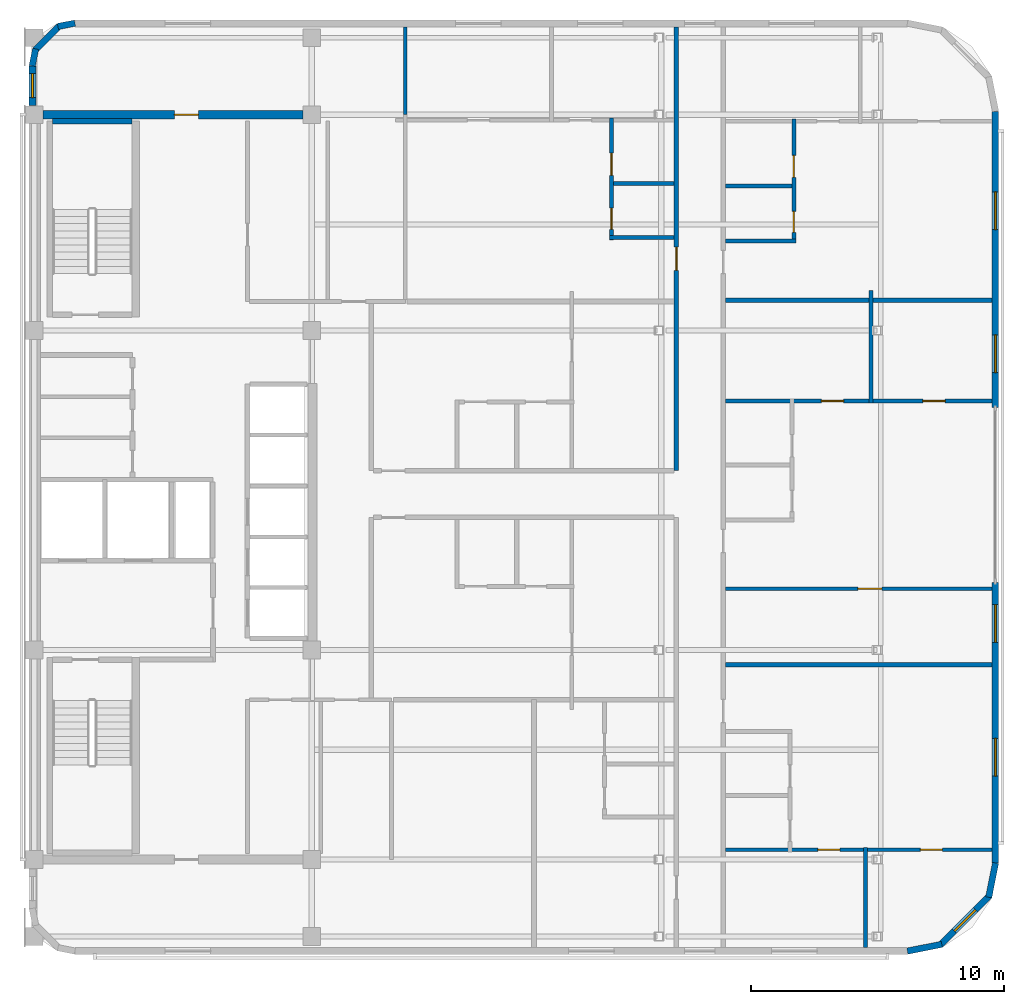
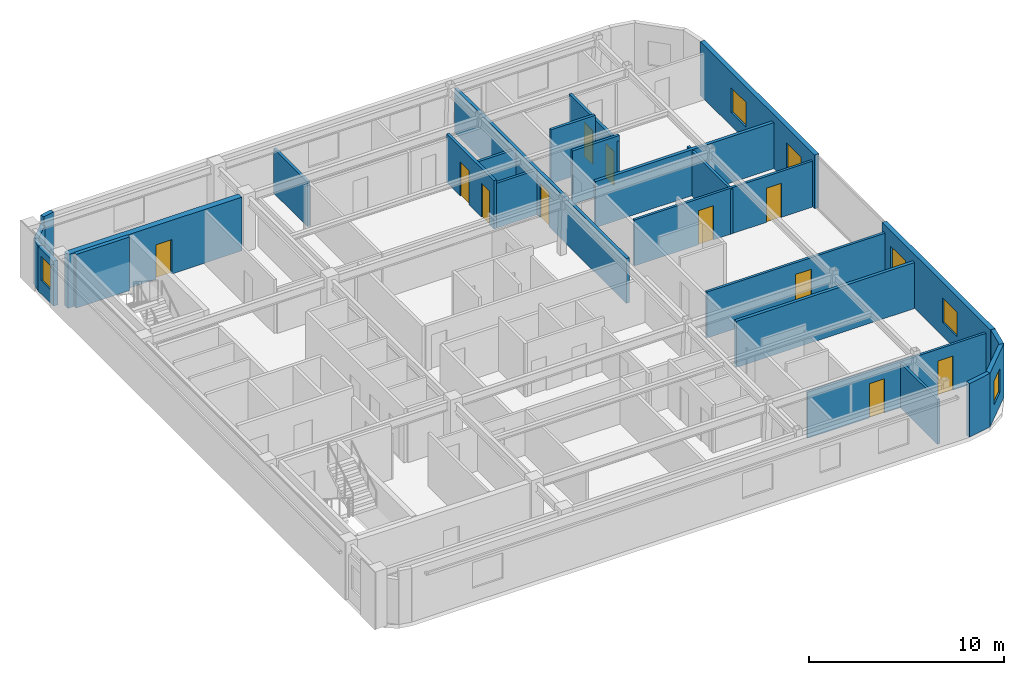
# One storey, part 6 of 10: 26 walls, 11 doors, 6 windows, 17 openings.
"""IFC4 building model written with IfcOpenShell, lengths in metres."""

from ifc_helpers import new_model, si_unit, direction, frame, frame_2d, origin, place, context, subcontext, project, spatial, rectangle, extrude, material, layer, layer_set, type_object, element, fill, save


model = new_model("IFC4")

# Units and contexts
model_context = context("Model", 3, precision=1e-05, world=origin(), true_north=direction((0.0, 1.0)))
body_context = subcontext(model_context, "Body", "Model", "MODEL_VIEW")
ifc_project = project(units=[si_unit("LENGTHUNIT", "METRE"), si_unit("AREAUNIT", "SQUARE_METRE"), si_unit("VOLUMEUNIT", "CUBIC_METRE"), si_unit("PLANEANGLEUNIT", "RADIAN"), si_unit("MASSUNIT", "GRAM", prefix="KILO")], contexts=[model_context])

# Site, building, storey
site_placement = place(None, origin())
site = spatial("IfcSite", under=ifc_project, at=site_placement, CompositionType="ELEMENT")
building_placement = place(site_placement, origin())
building = spatial("IfcBuilding", under=site, at=building_placement, Name="Ochreholt Gables", CompositionType="ELEMENT")
storey_placement = place(building_placement, frame((0.0, 0.0, 256.800048828125)))
storey = spatial("IfcBuildingStorey", under=building, at=storey_placement, Name="L67", CompositionType="ELEMENT", Elevation=256.800048828125)

# Wall, opening, door
ifc_material_1 = material(Name="Concrete 50 MPa", Category="concrete")
ifc_layer_1 = layer(ifc_material_1, 0.35009765625, Name="Concrete 50 MPa")
ifc_layer_set_1 = layer_set([ifc_layer_1], Name="Concrete 50 MPa")
wall_type_1 = type_object("IfcWallType", Name="WALL-CSW-350", PredefinedType="SHEAR", material=ifc_layer_set_1)
wall_1_placement = place(storey_placement, frame((24.550048828125, 38.75, 0.0), z_axis=(0.0, 0.0, 1.0), x_axis=(1.0, 0.0, 0.0)))
wall_1 = element("IfcWall", 1, at=wall_1_placement, inside=storey, type_object=wall_type_1, Name="L67 Core North Shear Wall", PredefinedType="SHEAR", context=body_context, shape_type="SweptSolid", body=[
    extrude(rectangle(XDim=10.300048828125, YDim=0.35009765625, at=frame_2d((5.14990234375, 0.0))), origin(), (0.0, 0.0, 1.0), 3.35986328125),
])
opening_1_placement = place(wall_1_placement, frame((5.199951171875, 0.0, 0.0)))
opening_1 = element("IfcOpeningElement", 2, at=opening_1_placement, cuts=wall_1, Name="Opening D-FL2", PredefinedType="OPENING", context=body_context, shape_type="SweptSolid", body=[
    extrude(rectangle(XDim=0.949951171875, YDim=2.14990234375, at=frame_2d((0.47509765625, 1.074951171875))), frame((0.0, 0.18505859375, 0.0), z_axis=(0.0, -1.0, 0.0), x_axis=(1.0, 0.0, 0.0)), (0.0, 0.0, 1.0), 0.3701171875),
])
ifc_material_2 = material(Name="Hollow Metal Steel", Category="steel")
door_type_1 = type_object("IfcDoorType", Name="DR-INT-FLB950", OperationType="NOTDEFINED", PredefinedType="DOOR", material=ifc_material_2)
door_1_placement = place(opening_1_placement, origin())
door_1 = element("IfcDoor", 3, at=door_1_placement, inside=storey, type_object=door_type_1, Name="L67 Door D-C3NSR-L67", OperationType="SINGLE_SWING_RIGHT", OverallHeight=2.14990234375, OverallWidth=0.949951171875, PredefinedType="DOOR", context=body_context, shape_type="SweptSolid", body=[
    extrude(rectangle(XDim=0.949951171875, YDim=2.14990234375, at=frame_2d((0.47509765625, 1.074951171875))), frame((0.0, 0.02490234375, 0.0), z_axis=(0.0, -1.0, 0.0), x_axis=(1.0, 0.0, 0.0)), (0.0, 0.0, 1.0), 0.050048828125),
])
fill(opening_1, door_1)

# Wall, openings, windows
ifc_material_3 = material(Name="Precast concrete 40 MPa", Category="concrete")
ifc_layer_2 = layer(ifc_material_3, 0.27001953125, Name="Precast concrete 40 MPa")
ifc_layer_set_2 = layer_set([ifc_layer_2], Name="Precast concrete 40 MPa")
wall_type_2 = type_object("IfcWallType", Name="WALL-EXT-270", PredefinedType="SOLIDWALL", material=ifc_layer_set_2)
wall_2_placement = place(storey_placement, frame((62.264892578125, 9.1201171875, 0.0), z_axis=(0.0, 0.0, 1.0), x_axis=(0.0, 1.0, 0.0)))
wall_2 = element("IfcWall", 4, at=wall_2_placement, inside=storey, type_object=wall_type_2, Name="L67 East Facade Wall 1", PredefinedType="SOLIDWALL", context=body_context, shape_type="SweptSolid", body=[
    extrude(rectangle(XDim=11.105224609375, YDim=0.27001953125, at=frame_2d((5.552734375, 0.0))), origin(), (0.0, 0.0, 1.0), 3.35986328125),
])
opening_2_placement = place(wall_2_placement, frame((3.4345703125, 0.0, 0.85009765625)))
opening_2 = element("IfcOpeningElement", 5, at=opening_2_placement, cuts=wall_2, Name="Opening WN-2", PredefinedType="OPENING", context=body_context, shape_type="SweptSolid", body=[
    extrude(rectangle(XDim=1.5, YDim=1.550048828125, at=frame_2d((0.75, 0.77490234375))), frame((0.0, 0.14501953125, 0.0), z_axis=(0.0, -1.0, 0.0), x_axis=(1.0, 0.0, 0.0)), (0.0, 0.0, 1.0), 0.2900390625),
])
opening_3_placement = place(wall_2_placement, frame((8.727783203125, 0.0, 0.85009765625)))
opening_3 = element("IfcOpeningElement", 6, at=opening_3_placement, cuts=wall_2, Name="Opening WN-2", PredefinedType="OPENING", context=body_context, shape_type="SweptSolid", body=[
    extrude(rectangle(XDim=1.5, YDim=1.550048828125, at=frame_2d((0.75, 0.77490234375))), frame((0.0, 0.14501953125, 0.0), z_axis=(0.0, -1.0, 0.0), x_axis=(1.0, 0.0, 0.0)), (0.0, 0.0, 1.0), 0.2900390625),
])
ifc_material_4 = material(Name="Triple-Glazed Thermally Broken Aluminium Window", Category="aluminium")
window_type_1 = type_object("IfcWindowType", Name="WIN-RES-1500", PartitioningType="SINGLE_PANEL", PredefinedType="WINDOW", material=ifc_material_4)
window_1_placement = place(opening_2_placement, origin())
window_1 = element("IfcWindow", 7, at=window_1_placement, inside=storey, type_object=window_type_1, Name="L67 Window W-EXT-E1-L67-1", OverallHeight=1.550048828125, OverallWidth=1.5, PartitioningType="SINGLE_PANEL", PredefinedType="WINDOW", context=body_context, shape_type="SweptSolid", body=[
    extrude(rectangle(XDim=1.5, YDim=1.550048828125, at=frame_2d((0.75, 0.77490234375))), frame((0.0, 0.030029296875, 0.0), z_axis=(0.0, -1.0, 0.0), x_axis=(1.0, 0.0, 0.0)), (0.0, 0.0, 1.0), 0.06005859375),
])
fill(opening_2, window_1)
window_2_placement = place(opening_3_placement, origin())
window_2 = element("IfcWindow", 8, at=window_2_placement, inside=storey, type_object=window_type_1, Name="L67 Window W-EXT-E1-L67-2", OverallHeight=1.550048828125, OverallWidth=1.5, PartitioningType="SINGLE_PANEL", PredefinedType="WINDOW", context=body_context, shape_type="SweptSolid", body=[
    extrude(rectangle(XDim=1.5, YDim=1.550048828125, at=frame_2d((0.75, 0.77490234375))), frame((0.0, 0.030029296875, 0.0), z_axis=(0.0, -1.0, 0.0), x_axis=(1.0, 0.0, 0.0)), (0.0, 0.0, 1.0), 0.06005859375),
])
fill(opening_3, window_2)

wall_3_placement = place(storey_placement, frame((62.264892578125, 27.159912109375, 0.0), z_axis=(0.0, 0.0, 1.0), x_axis=(0.0, 1.0, 0.0)))
wall_3 = element("IfcWall", 9, at=wall_3_placement, inside=storey, type_object=wall_type_2, Name="L67 East Facade Wall 2", PredefinedType="SOLIDWALL", context=body_context, shape_type="SweptSolid", body=[
    extrude(rectangle(XDim=11.719970703125, YDim=0.27001953125, at=frame_2d((5.85986328125, 0.0))), origin(), (0.0, 0.0, 1.0), 3.35986328125),
])
opening_4_placement = place(wall_3_placement, frame((1.3701171875, 0.0, 0.85009765625)))
opening_4 = element("IfcOpeningElement", 10, at=opening_4_placement, cuts=wall_3, Name="Opening WN-2", PredefinedType="OPENING", context=body_context, shape_type="SweptSolid", body=[
    extrude(rectangle(XDim=1.5, YDim=1.550048828125, at=frame_2d((0.75, 0.77490234375))), frame((0.0, 0.14501953125, 0.0), z_axis=(0.0, -1.0, 0.0), x_axis=(1.0, 0.0, 0.0)), (0.0, 0.0, 1.0), 0.2900390625),
])
opening_5_placement = place(wall_3_placement, frame((7.03515625, 0.0, 0.85009765625)))
opening_5 = element("IfcOpeningElement", 11, at=opening_5_placement, cuts=wall_3, Name="Opening WN-2", PredefinedType="OPENING", context=body_context, shape_type="SweptSolid", body=[
    extrude(rectangle(XDim=1.5, YDim=1.550048828125, at=frame_2d((0.75, 0.77490234375))), frame((0.0, 0.14501953125, 0.0), z_axis=(0.0, -1.0, 0.0), x_axis=(1.0, 0.0, 0.0)), (0.0, 0.0, 1.0), 0.2900390625),
])
window_3_placement = place(opening_4_placement, origin())
window_3 = element("IfcWindow", 12, at=window_3_placement, inside=storey, type_object=window_type_1, Name="L67 Window W-EXT-E2-L67-1", OverallHeight=1.550048828125, OverallWidth=1.5, PartitioningType="SINGLE_PANEL", PredefinedType="WINDOW", context=body_context, shape_type="SweptSolid", body=[
    extrude(rectangle(XDim=1.5, YDim=1.550048828125, at=frame_2d((0.75, 0.77490234375))), frame((0.0, 0.030029296875, 0.0), z_axis=(0.0, -1.0, 0.0), x_axis=(1.0, 0.0, 0.0)), (0.0, 0.0, 1.0), 0.06005859375),
])
fill(opening_4, window_3)
window_4_placement = place(opening_5_placement, origin())
window_4 = element("IfcWindow", 13, at=window_4_placement, inside=storey, type_object=window_type_1, Name="L67 Window W-EXT-E2-L67-2", OverallHeight=1.550048828125, OverallWidth=1.5, PartitioningType="SINGLE_PANEL", PredefinedType="WINDOW", context=body_context, shape_type="SweptSolid", body=[
    extrude(rectangle(XDim=1.5, YDim=1.550048828125, at=frame_2d((0.75, 0.77490234375))), frame((0.0, 0.030029296875, 0.0), z_axis=(0.0, -1.0, 0.0), x_axis=(1.0, 0.0, 0.0)), (0.0, 0.0, 1.0), 0.06005859375),
])
fill(opening_5, window_4)

# Wall, opening, window
wall_4_placement = place(storey_placement, frame((24.135009765625, 39.1201171875, 0.0), z_axis=(0.0, 0.0, 1.0), x_axis=(0.0, 1.0, 0.0)))
wall_4 = element("IfcWall", 14, at=wall_4_placement, inside=storey, type_object=wall_type_2, Name="L67 West Facade North Bay Wall", PredefinedType="SOLIDWALL", context=body_context, shape_type="SweptSolid", body=[
    extrude(rectangle(XDim=1.559814453125, YDim=0.27001953125, at=frame_2d((0.77978515625, 0.0))), origin(), (0.0, 0.0, 1.0), 2.802978515625),
])
opening_6_placement = place(wall_4_placement, frame((0.304931640625, 0.0, 0.85009765625)))
opening_6 = element("IfcOpeningElement", 15, at=opening_6_placement, cuts=wall_4, Name="Opening WN-10", PredefinedType="OPENING", context=body_context, shape_type="SweptSolid", body=[
    extrude(rectangle(XDim=0.949951171875, YDim=1.5, at=frame_2d((0.47509765625, 0.75))), frame((0.0, 0.14501953125, 0.0), z_axis=(0.0, -1.0, 0.0), x_axis=(1.0, 0.0, 0.0)), (0.0, 0.0, 1.0), 0.2900390625),
])
window_type_2 = type_object("IfcWindowType", Name="WIN-RES-950", PartitioningType="SINGLE_PANEL", PredefinedType="WINDOW", material=ifc_material_4)
window_5_placement = place(opening_6_placement, origin())
window_5 = element("IfcWindow", 16, at=window_5_placement, inside=storey, type_object=window_type_2, Name="L67 North Sky Reading West Window", OverallHeight=1.5, OverallWidth=0.949951171875, PartitioningType="SINGLE_PANEL", PredefinedType="WINDOW", context=body_context, shape_type="SweptSolid", body=[
    extrude(rectangle(XDim=0.949951171875, YDim=1.5, at=frame_2d((0.47509765625, 0.75))), frame((0.0, 0.030029296875, 0.0), z_axis=(0.0, -1.0, 0.0), x_axis=(1.0, 0.0, 0.0)), (0.0, 0.0, 1.0), 0.06005859375),
])
fill(opening_6, window_5)

# Wall
ifc_layer_3 = layer(ifc_material_3, 0.25, Name="Precast concrete 40 MPa")
ifc_layer_set_3 = layer_set([ifc_layer_3], Name="Precast concrete 40 MPa")
wall_type_3 = type_object("IfcWallType", Name="WALL-EXT-CNR", PredefinedType="SOLIDWALL", material=ifc_layer_set_3)
wall_5_placement = place(storey_placement, frame((58.783447265625, 5.624267578125, 0.0), z_axis=(0.0, 0.0, 1.0), x_axis=(0.980809899341, 0.19496651342, 0.0)))
element("IfcWall", 17, at=wall_5_placement, inside=storey, type_object=wall_type_3, Name="L67 Rounded Corner Wall SE-1", PredefinedType="SOLIDWALL", context=body_context, shape_type="SweptSolid", body=[
    extrude(rectangle(XDim=1.388671875, YDim=0.25, at=frame_2d((0.6943359375, 0.0))), origin(), (0.0, 0.0, 1.0), 3.35986328125),
])

# Wall, opening, window
wall_6_placement = place(storey_placement, frame((60.094970703125, 5.867919921875, 0.0), z_axis=(0.0, 0.0, 1.0), x_axis=(0.707106781187, 0.707106781187, 0.0)))
wall_6 = element("IfcWall", 18, at=wall_6_placement, inside=storey, type_object=wall_type_3, Name="L67 Rounded Corner Wall SE-2", PredefinedType="SOLIDWALL", context=body_context, shape_type="SweptSolid", body=[
    extrude(rectangle(XDim=2.7392578125, YDim=0.25, at=frame_2d((1.36962890625, 0.0))), origin(), (0.0, 0.0, 1.0), 3.35986328125),
])
opening_7_placement = place(wall_6_placement, frame((0.769775390625, 0.0, 0.85009765625)))
opening_7 = element("IfcOpeningElement", 19, at=opening_7_placement, cuts=wall_6, Name="Opening WN-3", PredefinedType="OPENING", context=body_context, shape_type="SweptSolid", body=[
    extrude(rectangle(XDim=1.199951171875, YDim=1.5, at=frame_2d((0.60009765625, 0.75))), frame((0.0, 0.135009765625, 0.0), z_axis=(0.0, -1.0, 0.0), x_axis=(1.0, 0.0, 0.0)), (0.0, 0.0, 1.0), 0.27001953125),
])
window_type_3 = type_object("IfcWindowType", Name="WIN-RES-1200", PartitioningType="SINGLE_PANEL", PredefinedType="WINDOW", material=ifc_material_4)
window_6_placement = place(opening_7_placement, origin())
window_6 = element("IfcWindow", 20, at=window_6_placement, inside=storey, type_object=window_type_3, Name="L67 Corner Bedroom Window SE", OverallHeight=1.5, OverallWidth=1.199951171875, PartitioningType="SINGLE_PANEL", PredefinedType="WINDOW", context=body_context, shape_type="SweptSolid", body=[
    extrude(rectangle(XDim=1.199951171875, YDim=1.5, at=frame_2d((0.60009765625, 0.75))), frame((0.0, 0.030029296875, 0.0), z_axis=(0.0, -1.0, 0.0), x_axis=(1.0, 0.0, 0.0)), (0.0, 0.0, 1.0), 0.06005859375),
])
fill(opening_7, window_6)

# Walls
wall_7_placement = place(storey_placement, frame((62.0048828125, 7.75439453125, 0.0), z_axis=(0.0, 0.0, 1.0), x_axis=(0.195135625965, 0.9807762678, 0.0)))
element("IfcWall", 21, at=wall_7_placement, inside=storey, type_object=wall_type_3, Name="L67 Rounded Corner Wall SE-3", PredefinedType="SOLIDWALL", context=body_context, shape_type="SweptSolid", body=[
    extrude(rectangle(XDim=1.388671875, YDim=0.25, at=frame_2d((0.6943359375, 0.0))), origin(), (0.0, 0.0, 1.0), 3.35986328125),
])
wall_8_placement = place(storey_placement, frame((25.81640625, 42.375732421875, 0.0), z_axis=(0.0, 0.0, 1.0), x_axis=(-0.980812594069, -0.194952956674, 0.0)))
element("IfcWall", 22, at=wall_8_placement, inside=storey, type_object=wall_type_3, Name="L67 Rounded Corner Wall NW-1", PredefinedType="SOLIDWALL", context=body_context, shape_type="SweptSolid", body=[
    extrude(rectangle(XDim=0.686279296875, YDim=0.25, at=frame_2d((0.34326171875, 0.0))), origin(), (0.0, 0.0, 1.0), 3.35986328125),
])
wall_9_placement = place(storey_placement, frame((25.19384765625, 42.26904296875, 0.0), z_axis=(0.0, 0.0, 1.0), x_axis=(-0.707106781187, -0.707106781187, 0.0)))
element("IfcWall", 23, at=wall_9_placement, inside=storey, type_object=wall_type_3, Name="L67 Rounded Corner Wall NW-2", PredefinedType="SOLIDWALL", context=body_context, shape_type="SweptSolid", body=[
    extrude(rectangle(XDim=1.36181640625, YDim=0.25, at=frame_2d((0.680908203125, 0.0))), origin(), (0.0, 0.0, 1.0), 2.802978515625),
])
wall_10_placement = place(storey_placement, frame((24.258056640625, 41.356689453125, 0.0), z_axis=(0.0, 0.0, 1.0), x_axis=(-0.194952956674, -0.980812594069, 0.0)))
element("IfcWall", 24, at=wall_10_placement, inside=storey, type_object=wall_type_3, Name="L67 Rounded Corner Wall NW-3", PredefinedType="SOLIDWALL", context=body_context, shape_type="SweptSolid", body=[
    extrude(rectangle(XDim=0.686279296875, YDim=0.25, at=frame_2d((0.34326171875, 0.0))), origin(), (0.0, 0.0, 1.0), 2.802978515625),
])

# Wall, opening, door
ifc_material_5 = material(Name="Fire-Rated Gypsum Acoustic Partition", Category="gypsum")
ifc_layer_4 = layer(ifc_material_5, 0.179931640625, Name="Fire-Rated Gypsum Acoustic Partition")
ifc_layer_set_4 = layer_set([ifc_layer_4], Name="Fire-Rated Gypsum Acoustic Partition")
wall_type_4 = type_object("IfcWallType", Name="WALL-INT-CR180", PredefinedType="STANDARD", material=ifc_layer_set_4)
wall_11_placement = place(storey_placement, frame((49.636962890625, 24.64990234375, 0.0), z_axis=(0.0, 0.0, 1.0), x_axis=(0.0, 1.0, 0.0)))
wall_11 = element("IfcWall", 25, at=wall_11_placement, inside=storey, type_object=wall_type_4, Name="L67 Interior Wall WI-C3GW2-L67", PredefinedType="STANDARD", context=body_context, shape_type="SweptSolid", body=[
    extrude(rectangle(XDim=17.580078125, YDim=0.179931640625, at=frame_2d((8.7900390625, 0.0))), origin(), (0.0, 0.0, 1.0), 2.802978515625),
])
opening_8_placement = place(wall_11_placement, frame((7.931396484375, 0.0, 0.0)))
opening_8 = element("IfcOpeningElement", 26, at=opening_8_placement, cuts=wall_11, Name="Opening D-UN1", PredefinedType="OPENING", context=body_context, shape_type="SweptSolid", body=[
    extrude(rectangle(XDim=0.919921875, YDim=2.14990234375, at=frame_2d((0.4599609375, 1.074951171875))), frame((0.0, 0.099853515625, 0.0), z_axis=(0.0, -1.0, 0.0), x_axis=(1.0, 0.0, 0.0)), (0.0, 0.0, 1.0), 0.199951171875),
])
ifc_material_6 = material(Name="Engineered Oak Timber", Category="wood")
door_type_2 = type_object("IfcDoorType", Name="DR-INT-UNT920", OperationType="NOTDEFINED", PredefinedType="DOOR", material=ifc_material_6)
door_2_placement = place(opening_8_placement, origin())
door_2 = element("IfcDoor", 27, at=door_2_placement, inside=storey, type_object=door_type_2, Name="L67 Door D-U-L67NM2-ENT", OperationType="SINGLE_SWING_RIGHT", OverallHeight=2.14990234375, OverallWidth=0.919921875, PredefinedType="DOOR", context=body_context, shape_type="SweptSolid", body=[
    extrude(rectangle(XDim=0.919921875, YDim=2.14990234375, at=frame_2d((0.4599609375, 1.074951171875))), frame((0.0, 0.02490234375, 0.0), z_axis=(0.0, -1.0, 0.0), x_axis=(1.0, 0.0, 0.0)), (0.0, 0.0, 1.0), 0.050048828125),
])
fill(opening_8, door_2)

# Walls
ifc_material_7 = material(Name="Double-Stud Acoustic Demising Wall", Category="gypsum")
ifc_layer_5 = layer(ifc_material_7, 0.18505859375, Name="Double-Stud Acoustic Demising Wall")
ifc_layer_set_5 = layer_set([ifc_layer_5], Name="Double-Stud Acoustic Demising Wall")
wall_type_5 = type_object("IfcWallType", Name="WALL-INT-DM185", PredefinedType="PARTITIONING", material=ifc_layer_set_5)
for number, where, z_axis, x_axis, name in (
    (28, (51.576904296875, 16.969970703125, 0.0), (0.0, 0.0, 1.0), (1.0, 0.0, 0.0), "L67 Interior Wall WI-C3UDE2-L67"),
    (29, (51.576904296875, 31.39990234375, 0.0), (0.0, 0.0, 1.0), (1.0, 0.0, 0.0), "L67 Interior Wall WI-C3UDE3-L67"),
):
    element("IfcWall", number, at=place(storey_placement, frame(where, z_axis=z_axis, x_axis=x_axis)), inside=storey, type_object=wall_type_5, Name=name, PredefinedType="PARTITIONING", context=body_context, shape_type="SweptSolid", body=[
        extrude(rectangle(XDim=10.552978515625, YDim=0.18505859375, at=frame_2d((5.2763671875, 0.0))), origin(), (0.0, 0.0, 1.0), 2.87890625),
    ])
ifc_material_8 = material(Name="Moisture-Resistant Plumbing Chase Wall", Category="gypsum")
ifc_layer_6 = layer(ifc_material_8, 0.159912109375, Name="Moisture-Resistant Plumbing Chase Wall")
ifc_layer_set_6 = layer_set([ifc_layer_6], Name="Moisture-Resistant Plumbing Chase Wall")
wall_type_6 = type_object("IfcWallType", Name="WALL-INT-PL160", PredefinedType="PLUMBINGWALL", material=ifc_layer_set_6)
wall_12_placement = place(storey_placement, frame((51.576904296875, 33.7548828125, 0.0), z_axis=(0.0, 0.0, 1.0), x_axis=(1.0, 0.0, 0.0)))
element("IfcWall", 30, at=wall_12_placement, inside=storey, type_object=wall_type_6, Name="L67 Interior Wall WU-L67E3-FYS", PredefinedType="PLUMBINGWALL", context=body_context, shape_type="SweptSolid", body=[
    extrude(rectangle(XDim=2.7880859375, YDim=0.159912109375, at=frame_2d((1.39404296875, 0.0))), origin(), (0.0, 0.0, 1.0), 3.35986328125),
])

# Wall, openings, doors
wall_13_placement = place(storey_placement, frame((54.284912109375, 33.6650390625, 0.0), z_axis=(0.0, 0.0, 1.0), x_axis=(0.0, 1.0, 0.0)))
wall_13 = element("IfcWall", 31, at=wall_13_placement, inside=storey, type_object=wall_type_6, Name="L67 Interior Wall WU-L67E3-WX", PredefinedType="PLUMBINGWALL", context=body_context, shape_type="SweptSolid", body=[
    extrude(rectangle(XDim=4.91552734375, YDim=0.159912109375, at=frame_2d((2.457763671875, 0.0))), origin(), (0.0, 0.0, 1.0), 3.0390625),
])
opening_9_placement = place(wall_13_placement, frame((0.419921875, 0.0, 0.0)))
opening_9 = element("IfcOpeningElement", 32, at=opening_9_placement, cuts=wall_13, Name="Opening D-BT2", PredefinedType="OPENING", context=body_context, shape_type="SweptSolid", body=[
    extrude(rectangle(XDim=0.840087890625, YDim=2.1201171875, at=frame_2d((0.419921875, 1.06005859375))), frame((0.0, 0.08984375, 0.0), z_axis=(0.0, -1.0, 0.0), x_axis=(1.0, 0.0, 0.0)), (0.0, 0.0, 1.0), 0.179931640625),
])
opening_10_placement = place(wall_13_placement, frame((2.598388671875, 0.0, 0.0)))
opening_10 = element("IfcOpeningElement", 33, at=opening_10_placement, cuts=wall_13, Name="Opening D-GN2", PredefinedType="OPENING", context=body_context, shape_type="SweptSolid", body=[
    extrude(rectangle(XDim=0.8798828125, YDim=2.1201171875, at=frame_2d((0.43994140625, 1.06005859375))), frame((0.0, 0.08984375, 0.0), z_axis=(0.0, -1.0, 0.0), x_axis=(1.0, 0.0, 0.0)), (0.0, 0.0, 1.0), 0.179931640625),
])
door_type_3 = type_object("IfcDoorType", Name="DR-INT-BTH840", OperationType="NOTDEFINED", PredefinedType="DOOR", material=ifc_material_6)
door_3_placement = place(opening_9_placement, origin())
door_3 = element("IfcDoor", 34, at=door_3_placement, inside=storey, type_object=door_type_3, Name="L67 Door D-U-L67E3-BTH", OperationType="SINGLE_SWING_LEFT", OverallHeight=2.1201171875, OverallWidth=0.840087890625, PredefinedType="DOOR", context=body_context, shape_type="SweptSolid", body=[
    extrude(rectangle(XDim=0.840087890625, YDim=2.1201171875, at=frame_2d((0.419921875, 1.06005859375))), frame((0.0, 0.02490234375, 0.0), z_axis=(0.0, -1.0, 0.0), x_axis=(1.0, 0.0, 0.0)), (0.0, 0.0, 1.0), 0.050048828125),
])
fill(opening_9, door_3)
door_type_4 = type_object("IfcDoorType", Name="DR-INT-GEN880", OperationType="NOTDEFINED", PredefinedType="DOOR", material=ifc_material_6)
door_4_placement = place(opening_10_placement, origin())
door_4 = element("IfcDoor", 35, at=door_4_placement, inside=storey, type_object=door_type_4, Name="L67 Door D-U-L67E3-KIT", OperationType="SINGLE_SWING_RIGHT", OverallHeight=2.1201171875, OverallWidth=0.8798828125, PredefinedType="DOOR", context=body_context, shape_type="SweptSolid", body=[
    extrude(rectangle(XDim=0.8798828125, YDim=2.1201171875, at=frame_2d((0.43994140625, 1.06005859375))), frame((0.0, 0.02490234375, 0.0), z_axis=(0.0, -1.0, 0.0), x_axis=(1.0, 0.0, 0.0)), (0.0, 0.0, 1.0), 0.050048828125),
])
fill(opening_10, door_4)

# Walls
wall_14_placement = place(storey_placement, frame((51.576904296875, 35.933349609375, 0.0), z_axis=(0.0, 0.0, 1.0), x_axis=(1.0, 0.0, 0.0)))
element("IfcWall", 36, at=wall_14_placement, inside=storey, type_object=wall_type_6, Name="L67 Interior Wall WU-L67E3-WK", PredefinedType="PLUMBINGWALL", context=body_context, shape_type="SweptSolid", body=[
    extrude(rectangle(XDim=2.628173828125, YDim=0.159912109375, at=frame_2d((1.31396484375, 0.0))), origin(), (0.0, 0.0, 1.0), 3.35986328125),
])
wall_15_placement = place(storey_placement, frame((46.987060546875, 33.881591796875, 0.0), z_axis=(0.0, 0.0, 1.0), x_axis=(1.0, 0.0, 0.0)))
element("IfcWall", 37, at=wall_15_placement, inside=storey, type_object=wall_type_6, Name="L67 Interior Wall WU-L67NM2-FYS", PredefinedType="PLUMBINGWALL", context=body_context, shape_type="SweptSolid", body=[
    extrude(rectangle(XDim=2.56005859375, YDim=0.159912109375, at=frame_2d((1.280029296875, 0.0))), origin(), (0.0, 0.0, 1.0), 2.802978515625),
])

# Wall, openings, doors
wall_16_placement = place(storey_placement, frame((47.06689453125, 33.79150390625, 0.0), z_axis=(0.0, 0.0, 1.0), x_axis=(0.0, 1.0, 0.0)))
wall_16 = element("IfcWall", 38, at=wall_16_placement, inside=storey, type_object=wall_type_6, Name="L67 Interior Wall WU-L67NM2-WX", PredefinedType="PLUMBINGWALL", context=body_context, shape_type="SweptSolid", body=[
    extrude(rectangle(XDim=4.830078125, YDim=0.159912109375, at=frame_2d((2.4150390625, 0.0))), origin(), (0.0, 0.0, 1.0), 3.0390625),
])
opening_11_placement = place(wall_16_placement, frame((0.419921875, 0.0, 0.0)))
opening_11 = element("IfcOpeningElement", 39, at=opening_11_placement, cuts=wall_16, Name="Opening D-BT2", PredefinedType="OPENING", context=body_context, shape_type="SweptSolid", body=[
    extrude(rectangle(XDim=0.840087890625, YDim=2.1201171875, at=frame_2d((0.419921875, 1.06005859375))), frame((0.0, 0.08984375, 0.0), z_axis=(0.0, -1.0, 0.0), x_axis=(1.0, 0.0, 0.0)), (0.0, 0.0, 1.0), 0.179931640625),
])
opening_12_placement = place(wall_16_placement, frame((2.55908203125, 0.0, 0.0)))
opening_12 = element("IfcOpeningElement", 40, at=opening_12_placement, cuts=wall_16, Name="Opening D-GN2", PredefinedType="OPENING", context=body_context, shape_type="SweptSolid", body=[
    extrude(rectangle(XDim=0.8798828125, YDim=2.1201171875, at=frame_2d((0.43994140625, 1.06005859375))), frame((0.0, 0.08984375, 0.0), z_axis=(0.0, -1.0, 0.0), x_axis=(1.0, 0.0, 0.0)), (0.0, 0.0, 1.0), 0.179931640625),
])
door_5_placement = place(opening_11_placement, origin())
door_5 = element("IfcDoor", 41, at=door_5_placement, inside=storey, type_object=door_type_3, Name="L67 Door D-U-L67NM2-BTH", OperationType="SINGLE_SWING_LEFT", OverallHeight=2.1201171875, OverallWidth=0.840087890625, PredefinedType="DOOR", context=body_context, shape_type="SweptSolid", body=[
    extrude(rectangle(XDim=0.840087890625, YDim=2.1201171875, at=frame_2d((0.419921875, 1.06005859375))), frame((0.0, 0.02490234375, 0.0), z_axis=(0.0, -1.0, 0.0), x_axis=(1.0, 0.0, 0.0)), (0.0, 0.0, 1.0), 0.050048828125),
])
fill(opening_11, door_5)
door_6_placement = place(opening_12_placement, origin())
door_6 = element("IfcDoor", 42, at=door_6_placement, inside=storey, type_object=door_type_4, Name="L67 Door D-U-L67NM2-KIT", OperationType="SINGLE_SWING_RIGHT", OverallHeight=2.1201171875, OverallWidth=0.8798828125, PredefinedType="DOOR", context=body_context, shape_type="SweptSolid", body=[
    extrude(rectangle(XDim=0.8798828125, YDim=2.1201171875, at=frame_2d((0.43994140625, 1.06005859375))), frame((0.0, 0.02490234375, 0.0), z_axis=(0.0, -1.0, 0.0), x_axis=(1.0, 0.0, 0.0)), (0.0, 0.0, 1.0), 0.050048828125),
])
fill(opening_12, door_6)

# Wall
wall_17_placement = place(storey_placement, frame((47.14697265625, 36.0205078125, 0.0), z_axis=(0.0, 0.0, 1.0), x_axis=(1.0, 0.0, 0.0)))
element("IfcWall", 43, at=wall_17_placement, inside=storey, type_object=wall_type_6, Name="L67 Interior Wall WU-L67NM2-WK", PredefinedType="PLUMBINGWALL", context=body_context, shape_type="SweptSolid", body=[
    extrude(rectangle(XDim=2.400146484375, YDim=0.159912109375, at=frame_2d((1.2001953125, 0.0))), origin(), (0.0, 0.0, 1.0), 2.802978515625),
])

# Wall, openings, doors
ifc_material_9 = material(Name="Lightweight Stud Partition", Category="gypsum")
ifc_layer_7 = layer(ifc_material_9, 0.14501953125, Name="Lightweight Stud Partition")
ifc_layer_set_7 = layer_set([ifc_layer_7], Name="Lightweight Stud Partition")
wall_type_7 = type_object("IfcWallType", Name="WALL-INT-PT145", PredefinedType="PARTITIONING", material=ifc_layer_set_7)
wall_18_placement = place(storey_placement, frame((51.576904296875, 9.638916015625, 0.0), z_axis=(0.0, 0.0, 1.0), x_axis=(1.0, 0.0, 0.0)))
wall_18 = element("IfcWall", 44, at=wall_18_placement, inside=storey, type_object=wall_type_7, Name="L67 Interior Wall WU-L67E1-MN", PredefinedType="PARTITIONING", context=body_context, shape_type="SweptSolid", body=[
    extrude(rectangle(XDim=10.552978515625, YDim=0.14501953125, at=frame_2d((5.2763671875, 0.0))), origin(), (0.0, 0.0, 1.0), 2.87890625),
])
opening_13_placement = place(wall_18_placement, frame((3.657958984375, 0.0, 0.0)))
opening_13 = element("IfcOpeningElement", 45, at=opening_13_placement, cuts=wall_18, Name="Opening D-BD2", PredefinedType="OPENING", context=body_context, shape_type="SweptSolid", body=[
    extrude(rectangle(XDim=0.8798828125, YDim=2.139892578125, at=frame_2d((0.43994140625, 1.06982421875))), frame((0.0, 0.08251953125, 0.0), z_axis=(0.0, -1.0, 0.0), x_axis=(1.0, 0.0, 0.0)), (0.0, 0.0, 1.0), 0.1650390625),
])
opening_14_placement = place(wall_18_placement, frame((7.716552734375, 0.0, 0.0)))
opening_14 = element("IfcOpeningElement", 46, at=opening_14_placement, cuts=wall_18, Name="Opening D-BD2", PredefinedType="OPENING", context=body_context, shape_type="SweptSolid", body=[
    extrude(rectangle(XDim=0.8798828125, YDim=2.139892578125, at=frame_2d((0.43994140625, 1.06982421875))), frame((0.0, 0.08251953125, 0.0), z_axis=(0.0, -1.0, 0.0), x_axis=(1.0, 0.0, 0.0)), (0.0, 0.0, 1.0), 0.1650390625),
])
door_type_5 = type_object("IfcDoorType", Name="DR-INT-BED880", OperationType="NOTDEFINED", PredefinedType="DOOR", material=ifc_material_6)
door_7_placement = place(opening_13_placement, origin())
door_7 = element("IfcDoor", 47, at=door_7_placement, inside=storey, type_object=door_type_5, Name="L67 Door D-U-L67E1-BD1", OperationType="SINGLE_SWING_RIGHT", OverallHeight=2.139892578125, OverallWidth=0.8798828125, PredefinedType="DOOR", context=body_context, shape_type="SweptSolid", body=[
    extrude(rectangle(XDim=0.8798828125, YDim=2.139892578125, at=frame_2d((0.43994140625, 1.06982421875))), frame((0.0, 0.02490234375, 0.0), z_axis=(0.0, -1.0, 0.0), x_axis=(1.0, 0.0, 0.0)), (0.0, 0.0, 1.0), 0.050048828125),
])
fill(opening_13, door_7)
door_8_placement = place(opening_14_placement, origin())
door_8 = element("IfcDoor", 48, at=door_8_placement, inside=storey, type_object=door_type_5, Name="L67 Door D-U-L67E1-BD2", OperationType="SINGLE_SWING_LEFT", OverallHeight=2.139892578125, OverallWidth=0.8798828125, PredefinedType="DOOR", context=body_context, shape_type="SweptSolid", body=[
    extrude(rectangle(XDim=0.8798828125, YDim=2.139892578125, at=frame_2d((0.43994140625, 1.06982421875))), frame((0.0, 0.02490234375, 0.0), z_axis=(0.0, -1.0, 0.0), x_axis=(1.0, 0.0, 0.0)), (0.0, 0.0, 1.0), 0.050048828125),
])
fill(opening_14, door_8)

# Wall
wall_19_placement = place(storey_placement, frame((57.126953125, 5.77001953125, 0.0), z_axis=(0.0, 0.0, 1.0), x_axis=(0.0, 1.0, 0.0)))
element("IfcWall", 49, at=wall_19_placement, inside=storey, type_object=wall_type_7, Name="L67 Interior Wall WU-L67E1-BSD", PredefinedType="PARTITIONING", context=body_context, shape_type="SweptSolid", body=[
    extrude(rectangle(XDim=3.948974609375, YDim=0.14501953125, at=frame_2d((1.974609375, 0.0))), origin(), (0.0, 0.0, 1.0), 2.802978515625),
])

# Wall, openings, doors
wall_20_placement = place(storey_placement, frame((51.576904296875, 27.409912109375, 0.0), z_axis=(0.0, 0.0, 1.0), x_axis=(1.0, 0.0, 0.0)))
wall_20 = element("IfcWall", 50, at=wall_20_placement, inside=storey, type_object=wall_type_7, Name="L67 Interior Wall WU-L67E2-MN", PredefinedType="PARTITIONING", context=body_context, shape_type="SweptSolid", body=[
    extrude(rectangle(XDim=10.552978515625, YDim=0.14501953125, at=frame_2d((5.2763671875, 0.0))), origin(), (0.0, 0.0, 1.0), 2.87890625),
])
opening_15_placement = place(wall_20_placement, frame((3.802734375, 0.0, 0.0)))
opening_15 = element("IfcOpeningElement", 51, at=opening_15_placement, cuts=wall_20, Name="Opening D-BD2", PredefinedType="OPENING", context=body_context, shape_type="SweptSolid", body=[
    extrude(rectangle(XDim=0.8798828125, YDim=2.139892578125, at=frame_2d((0.43994140625, 1.06982421875))), frame((0.0, 0.08251953125, 0.0), z_axis=(0.0, -1.0, 0.0), x_axis=(1.0, 0.0, 0.0)), (0.0, 0.0, 1.0), 0.1650390625),
])
opening_16_placement = place(wall_20_placement, frame((7.8232421875, 0.0, 0.0)))
opening_16 = element("IfcOpeningElement", 52, at=opening_16_placement, cuts=wall_20, Name="Opening D-BD2", PredefinedType="OPENING", context=body_context, shape_type="SweptSolid", body=[
    extrude(rectangle(XDim=0.8798828125, YDim=2.139892578125, at=frame_2d((0.43994140625, 1.06982421875))), frame((0.0, 0.08251953125, 0.0), z_axis=(0.0, -1.0, 0.0), x_axis=(1.0, 0.0, 0.0)), (0.0, 0.0, 1.0), 0.1650390625),
])
door_9_placement = place(opening_15_placement, origin())
door_9 = element("IfcDoor", 53, at=door_9_placement, inside=storey, type_object=door_type_5, Name="L67 Door D-U-L67E2-BD1", OperationType="SINGLE_SWING_LEFT", OverallHeight=2.139892578125, OverallWidth=0.8798828125, PredefinedType="DOOR", context=body_context, shape_type="SweptSolid", body=[
    extrude(rectangle(XDim=0.8798828125, YDim=2.139892578125, at=frame_2d((0.43994140625, 1.06982421875))), frame((0.0, 0.02490234375, 0.0), z_axis=(0.0, -1.0, 0.0), x_axis=(1.0, 0.0, 0.0)), (0.0, 0.0, 1.0), 0.050048828125),
])
fill(opening_15, door_9)
door_10_placement = place(opening_16_placement, origin())
door_10 = element("IfcDoor", 54, at=door_10_placement, inside=storey, type_object=door_type_5, Name="L67 Door D-U-L67E2-BD2", OperationType="SINGLE_SWING_RIGHT", OverallHeight=2.139892578125, OverallWidth=0.8798828125, PredefinedType="DOOR", context=body_context, shape_type="SweptSolid", body=[
    extrude(rectangle(XDim=0.8798828125, YDim=2.139892578125, at=frame_2d((0.43994140625, 1.06982421875))), frame((0.0, 0.02490234375, 0.0), z_axis=(0.0, -1.0, 0.0), x_axis=(1.0, 0.0, 0.0)), (0.0, 0.0, 1.0), 0.050048828125),
])
fill(opening_16, door_10)

# Wall, opening, door
wall_21_placement = place(storey_placement, frame((51.576904296875, 19.975341796875, 0.0), z_axis=(0.0, 0.0, 1.0), x_axis=(1.0, 0.0, 0.0)))
wall_21 = element("IfcWall", 55, at=wall_21_placement, inside=storey, type_object=wall_type_7, Name="L67 Interior Wall WU-L67E2-DNW", PredefinedType="PARTITIONING", context=body_context, shape_type="SweptSolid", body=[
    extrude(rectangle(XDim=10.552978515625, YDim=0.14501953125, at=frame_2d((5.2763671875, 0.0))), origin(), (0.0, 0.0, 1.0), 2.87890625),
])
opening_17_placement = place(wall_21_placement, frame((5.24658203125, 0.0, 0.0)))
opening_17 = element("IfcOpeningElement", 56, at=opening_17_placement, cuts=wall_21, Name="Opening D-GN1", PredefinedType="OPENING", context=body_context, shape_type="SweptSolid", body=[
    extrude(rectangle(XDim=0.949951171875, YDim=2.14990234375, at=frame_2d((0.47509765625, 1.074951171875))), frame((0.0, 0.08251953125, 0.0), z_axis=(0.0, -1.0, 0.0), x_axis=(1.0, 0.0, 0.0)), (0.0, 0.0, 1.0), 0.1650390625),
])
door_type_6 = type_object("IfcDoorType", Name="DR-INT-GEN950", OperationType="NOTDEFINED", PredefinedType="DOOR", material=ifc_material_6)
door_11_placement = place(opening_17_placement, origin())
door_11 = element("IfcDoor", 57, at=door_11_placement, inside=storey, type_object=door_type_6, Name="L67 Door D-U-L67E2-DIN", OperationType="SINGLE_SWING_RIGHT", OverallHeight=2.14990234375, OverallWidth=0.949951171875, PredefinedType="DOOR", context=body_context, shape_type="SweptSolid", body=[
    extrude(rectangle(XDim=0.949951171875, YDim=2.14990234375, at=frame_2d((0.47509765625, 1.074951171875))), frame((0.0, 0.02490234375, 0.0), z_axis=(0.0, -1.0, 0.0), x_axis=(1.0, 0.0, 0.0)), (0.0, 0.0, 1.0), 0.050048828125),
])
fill(opening_17, door_11)

# Walls
wall_22_placement = place(storey_placement, frame((57.34033203125, 27.330078125, 0.0), z_axis=(0.0, 0.0, 1.0), x_axis=(0.0, 1.0, 0.0)))
element("IfcWall", 58, at=wall_22_placement, inside=storey, type_object=wall_type_7, Name="L67 Interior Wall WU-L67E2-BSD", PredefinedType="PARTITIONING", context=body_context, shape_type="SweptSolid", body=[
    extrude(rectangle(XDim=4.4599609375, YDim=0.14501953125, at=frame_2d((2.22998046875, 0.0))), origin(), (0.0, 0.0, 1.0), 2.802978515625),
])
wall_23_placement = place(storey_placement, frame((38.89990234375, 38.75, 0.0), z_axis=(0.0, 0.0, 1.0), x_axis=(0.0, 1.0, 0.0)))
element("IfcWall", 59, at=wall_23_placement, inside=storey, type_object=wall_type_7, Name="L67 Interior Wall WI-C3NMW-L67", PredefinedType="PARTITIONING", context=body_context, shape_type="SweptSolid", body=[
    extrude(rectangle(XDim=3.47998046875, YDim=0.14501953125, at=frame_2d((1.739990234375, 0.0))), origin(), (0.0, 0.0, 1.0), 2.802978515625),
])
ifc_layer_8 = layer(ifc_material_1, 0.219970703125, Name="Concrete 50 MPa")
ifc_layer_set_8 = layer_set([ifc_layer_8], Name="Concrete 50 MPa")
wall_type_8 = type_object("IfcWallType", Name="WALL-STW-220", PredefinedType="SHEAR", material=ifc_layer_set_8)
wall_24_placement = place(storey_placement, frame((24.919921875, 38.489990234375, 0.0), z_axis=(0.0, 0.0, 1.0), x_axis=(1.0, 0.0, 0.0)))
element("IfcWall", 60, at=wall_24_placement, inside=storey, type_object=wall_type_8, Name="L67 Exit Stair 2 North Wall", PredefinedType="SHEAR", context=body_context, shape_type="SweptSolid", body=[
    extrude(rectangle(XDim=3.16015625, YDim=0.219970703125, at=frame_2d((1.580078125, 0.0))), origin(), (0.0, 0.0, 1.0), 3.35986328125),
])

save(model, "model.ifc")
